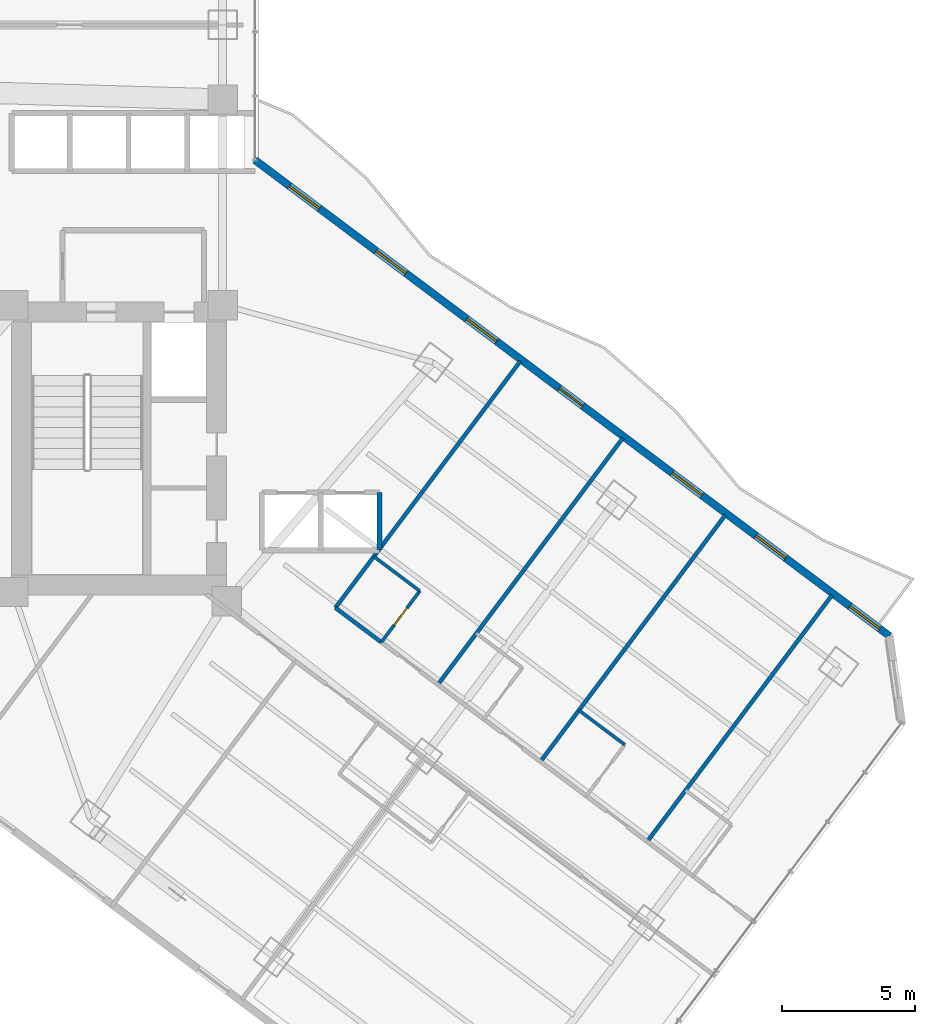
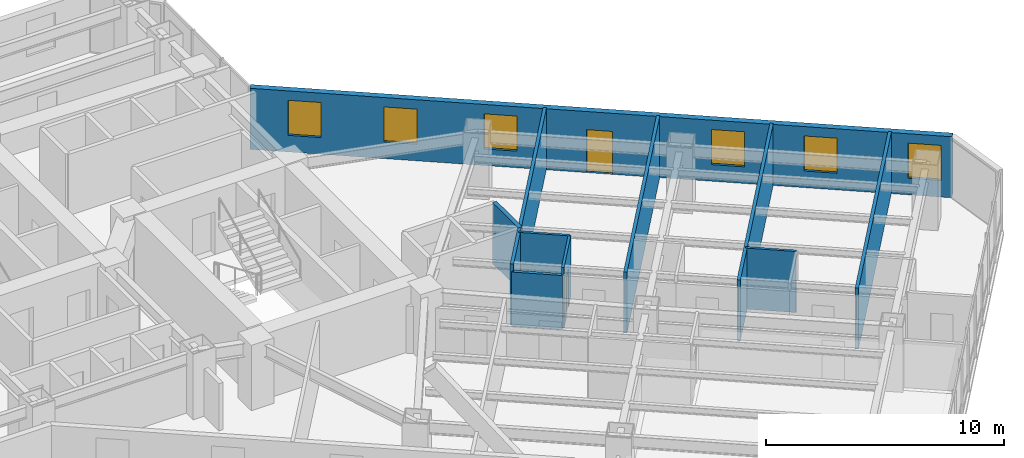
# One storey, part 24 of 33: 10 walls, 6 windows, 2 doors, 8 openings.
"""IFC4 building model written with IfcOpenShell, lengths in metres."""

import ifcopenshell
import ifcopenshell.guid

model = None  # the IFC model being written
_history = None  # IfcOwnerHistory: only IFC2X3 demands one
_inside = {}  # id of a spatial element -> (the spatial element, [elements in it])
_under = {}  # id of a project, library or spatial element -> (it, [spatial elements below it])
_declared = {}  # id of a project -> (the project, [libraries it declares])
_typed = {}  # id of a type object -> (the type object, [elements of that type])
_made_of = {}  # id of a material, layer set ... -> (it, [elements and type objects made of it])


def new_model(schema):
    """Start an empty IFC model of exactly this schema.

    Asked for "IFC4X3", IfcOpenShell would pick the latest addendum, in which some entities
    have other attributes; the version numbers below select the first issue.
    IFC2X3 requires an IfcOwnerHistory on every rooted entity: one is made here for all.
    """
    global model, _history
    if schema == "IFC4X3":
        model = ifcopenshell.file(schema_version=(4, 3, 0, 0))
    else:
        model = ifcopenshell.file(schema=schema)
    _inside.clear()
    _under.clear()
    _declared.clear()
    _typed.clear()
    _made_of.clear()
    _history = None
    if model.schema == "IFC2X3":
        org = make("IfcOrganization", Name="unknown")
        user = make(
            "IfcPersonAndOrganization",
            ThePerson=make("IfcPerson", FamilyName="unknown"),
            TheOrganization=org,
        )
        app = make(
            "IfcApplication",
            ApplicationDeveloper=org,
            Version="unknown",
            ApplicationFullName="unknown",
            ApplicationIdentifier="unknown",
        )
        _history = make(
            "IfcOwnerHistory",
            OwningUser=user,
            OwningApplication=app,
            ChangeAction="ADDED",
            CreationDate=0,
        )
    return model


def make(cls, **values):
    """One entity of the class cls with the attributes given. An attribute that is None is left unset."""
    return model.create_entity(
        cls, **{name: value for name, value in values.items() if value is not None}
    )


def rooted(cls, **values):
    """An entity with a GlobalId (a new one), such as an element, a storey or a relation."""
    return make(cls, GlobalId=ifcopenshell.guid.new(), OwnerHistory=_history, **values)


def si_unit(unit_type, name, prefix=None):
    """IfcSIUnit, for example si_unit("LENGTHUNIT", "METRE", prefix="MILLI")."""
    return make("IfcSIUnit", UnitType=unit_type, Prefix=prefix, Name=name)


def assignment(units):
    """IfcUnitAssignment: the units of a project."""
    return None if units is None else make("IfcUnitAssignment", Units=units)


def point(xyz):
    """IfcCartesianPoint."""
    return None if xyz is None else make("IfcCartesianPoint", Coordinates=xyz)


def direction(xyz):
    """IfcDirection."""
    return None if xyz is None else make("IfcDirection", DirectionRatios=xyz)


def frame(location, z_axis=None, x_axis=None):
    """IfcAxis2Placement3D, a coordinate frame: its origin and axes. An axis left out is left unset."""
    return make(
        "IfcAxis2Placement3D",
        Location=point(location),
        Axis=direction(z_axis),
        RefDirection=direction(x_axis),
    )


def frame_2d(location, x_axis=None):
    """IfcAxis2Placement2D, a coordinate frame in the plane: its origin and x axis."""
    return make(
        "IfcAxis2Placement2D", Location=point(location), RefDirection=direction(x_axis)
    )


def origin():
    """The frame at (0, 0, 0) with its axes left unset."""
    return frame((0.0, 0.0, 0.0))


def place(relative_to, where):
    """IfcLocalPlacement: puts the frame where relative to a parent placement (None: the world)."""
    return make(
        "IfcLocalPlacement", PlacementRelTo=relative_to, RelativePlacement=where
    )


def context(
    kind, dimensions, precision=None, world=None, true_north=None, identifier=None
):
    """IfcGeometricRepresentationContext, for example the 3D "Model" context."""
    return make(
        "IfcGeometricRepresentationContext",
        ContextIdentifier=identifier,
        ContextType=kind,
        CoordinateSpaceDimension=dimensions,
        Precision=precision,
        WorldCoordinateSystem=world,
        TrueNorth=true_north,
    )


def subcontext(parent, identifier, kind, view, scale=None):
    """IfcGeometricRepresentationSubContext, for example "Body" below "Model"."""
    return make(
        "IfcGeometricRepresentationSubContext",
        ContextIdentifier=identifier,
        ContextType=kind,
        ParentContext=parent,
        TargetScale=scale,
        TargetView=view,
    )


def project(units=None, contexts=None):
    """IfcProject with its units and contexts."""
    return rooted(
        "IfcProject",
        Name="project",
        RepresentationContexts=contexts,
        UnitsInContext=assignment(units),
    )


def spatial(cls, under=None, at=None, **own):
    """A site, building, storey or space (cls), placed at a placement, below another one or the project."""
    s = rooted(cls, ObjectPlacement=at, **own)
    if under is not None:
        _under.setdefault(under.id(), (under, []))[1].append(s)
    return s


def profile(cls, at=None, kind="AREA", **sizes):
    """A parametric profile (cls). Its sizes go by their IFC names, for example OverallWidth=200.0."""
    return make(cls, ProfileType=kind, Position=at, **sizes)


def rectangle(**sizes):
    """IfcRectangleProfileDef."""
    return profile("IfcRectangleProfileDef", **sizes)


def extrude(swept, where, along, depth):
    """IfcExtrudedAreaSolid: the profile swept, set in the frame where, extruded along a direction by depth."""
    return make(
        "IfcExtrudedAreaSolid",
        SweptArea=swept,
        Position=where,
        ExtrudedDirection=direction(along),
        Depth=depth,
    )


def shape(context_of_items, identifier, shape_type, items):
    """IfcShapeRepresentation: the items that make up one representation, for example the "Body"."""
    return make(
        "IfcShapeRepresentation",
        ContextOfItems=context_of_items,
        RepresentationIdentifier=identifier,
        RepresentationType=shape_type,
        Items=items,
    )


def material(Name=None, Category=None):
    """IfcMaterial."""
    return make("IfcMaterial", Name=Name, Category=Category)


def layer(
    of_material, thickness, ventilated=None, Name=None, Category=None, Priority=None
):
    """IfcMaterialLayer: one layer of a wall or slab, of a material (None: an air gap)."""
    return make(
        "IfcMaterialLayer",
        Material=of_material,
        LayerThickness=thickness,
        IsVentilated=ventilated,
        Name=Name,
        Category=Category,
        Priority=Priority,
    )


def layer_set(layers, Name=None):
    """IfcMaterialLayerSet."""
    return make("IfcMaterialLayerSet", MaterialLayers=layers, LayerSetName=Name)


def made_of(thing, what):
    """Note that an element or type object is made of a material, layer set ...; save() writes the relation."""
    if what is not None:
        _made_of.setdefault(what.id(), (what, []))[1].append(thing)
    return thing


def type_object(cls, material=None, **own):
    """A type object (cls), such as IfcWallType, which elements share."""
    return made_of(rooted(cls, **own), material)


def element(
    cls,
    number,
    at=None,
    inside=None,
    cuts=None,
    type_object=None,
    material=None,
    context=None,
    identifier="Body",
    shape_type=None,
    held_by="IfcProductDefinitionShape",
    body=None,
    shapes=None,
    **own,
):
    """One element of the class cls, such as IfcWall. Its Tag is "e" and its number.

    at: its placement. inside: the storey or other place that contains it. cuts: it is an
    opening in that element (IfcRelVoidsElement). A single representation is given by context,
    identifier, shape_type and body (its items); several are given by shapes. held_by: the class
    of the entity that holds the representations. save() writes the other relations.
    """
    e = rooted(cls, Tag="e%d" % number, ObjectPlacement=at, **own)
    if body is not None:
        shapes = [shape(context, identifier, shape_type, body)]
    if shapes is not None:
        e.Representation = make(held_by, Representations=shapes)
    if inside is not None:
        _inside.setdefault(inside.id(), (inside, []))[1].append(e)
    if cuts is not None:
        rooted(
            "IfcRelVoidsElement", RelatingBuildingElement=cuts, RelatedOpeningElement=e
        )
    if type_object is not None:
        _typed.setdefault(type_object.id(), (type_object, []))[1].append(e)
    return made_of(e, material)


def fill(opening, filler):
    """IfcRelFillsElement: the door or window that sits in an opening."""
    return rooted(
        "IfcRelFillsElement",
        RelatingOpeningElement=opening,
        RelatedBuildingElement=filler,
    )


def aggregate(whole, parts):
    """IfcRelAggregates: a whole, such as a stair, and the parts it consists of."""
    return rooted("IfcRelAggregates", RelatingObject=whole, RelatedObjects=parts)


def save(model, path):
    """Write the relations noted so far, then the file.

    IfcRelAggregates (storeys below a building ...), IfcRelContainedInSpatialStructure (elements
    in a storey), IfcRelDefinesByType, IfcRelAssociatesMaterial and IfcRelDeclares: one each for
    every whole, place, type object, material and project.
    """
    for whole, parts in _under.values():
        aggregate(whole, parts)
    for where, things in _inside.values():
        rooted(
            "IfcRelContainedInSpatialStructure",
            RelatedElements=things,
            RelatingStructure=where,
        )
    for kind, things in _typed.values():
        rooted("IfcRelDefinesByType", RelatedObjects=things, RelatingType=kind)
    for what, things in _made_of.values():
        rooted("IfcRelAssociatesMaterial", RelatedObjects=things, RelatingMaterial=what)
    for by, libraries in _declared.values():
        rooted("IfcRelDeclares", RelatingContext=by, RelatedDefinitions=libraries)
    model.write(path)


model = new_model("IFC4")

# Units and contexts
model_context = context("Model", 3, precision=1e-05, world=origin(), true_north=direction((0.0, 1.0)))
body_context = subcontext(model_context, "Body", "Model", "MODEL_VIEW")
ifc_project = project(units=[si_unit("LENGTHUNIT", "METRE"), si_unit("AREAUNIT", "SQUARE_METRE"), si_unit("VOLUMEUNIT", "CUBIC_METRE"), si_unit("PLANEANGLEUNIT", "RADIAN"), si_unit("MASSUNIT", "GRAM", prefix="KILO")], contexts=[model_context])

# Site, building, storey
site_placement = place(None, origin())
site = spatial("IfcSite", under=ifc_project, at=site_placement, CompositionType="ELEMENT")
building_placement = place(site_placement, origin())
building = spatial("IfcBuilding", under=site, at=building_placement, Name="Hatsunagi Terrace Concourse", CompositionType="ELEMENT")
storey_placement = place(building_placement, frame((0.0, 0.0, 56.699951171875)))
storey = spatial("IfcBuildingStorey", under=building, at=storey_placement, Name="L14", CompositionType="ELEMENT", Elevation=56.699951171875)

# Wall, opening, door
ifc_material_1 = material(Name="Acoustic mineral board", Category="gypsum")
ifc_layer_1 = layer(ifc_material_1, 0.1201171875)
ifc_layer_set_1 = layer_set([ifc_layer_1], Name="PartitionWall_EI30_120")
wall_type_1 = type_object("IfcWallType", Name="PartitionWall_EI30_120", PredefinedType="PARTITIONING", material=ifc_layer_set_1)
wall_1_placement = place(storey_placement, frame((49.590087890625, 22.669921875, 0.0), z_axis=(0.0, 0.0, 1.0), x_axis=(0.599951172744, 0.800036618114, 0.0)))
wall_1 = element("IfcWall", 1, at=wall_1_placement, inside=storey, type_object=wall_type_1, Name="Interior Partition IW-L14-073", PredefinedType="PARTITIONING", context=body_context, shape_type="SweptSolid", body=[
    extrude(rectangle(XDim=2.400146484375, YDim=0.1201171875, at=frame_2d((1.2001953125, 0.0))), origin(), (0.0, 0.0, 1.0), 3.130126953125),
])
opening_1_placement = place(wall_1_placement, frame((0.800048828125, 0.0, 0.0)))
opening_1 = element("IfcOpeningElement", 2, at=opening_1_placement, cuts=wall_1, Name="Opening DR-080", PredefinedType="OPENING", context=body_context, shape_type="SweptSolid", body=[
    extrude(rectangle(XDim=0.800048828125, YDim=2.06005859375, at=frame_2d((0.39990234375, 1.030029296875))), frame((0.0, 0.070068359375, 0.0), z_axis=(0.0, -1.0, 0.0), x_axis=(1.0, 0.0, 0.0)), (0.0, 0.0, 1.0), 0.14013671875),
])
ifc_material_2 = material(Name="Hardwood timber", Category="wood")
door_type_1 = type_object("IfcDoorType", Name="BathroomDoor_800", OperationType="NOTDEFINED", PredefinedType="DOOR", material=ifc_material_2)
door_1_placement = place(opening_1_placement, origin())
door_1 = element("IfcDoor", 3, at=door_1_placement, inside=storey, type_object=door_type_1, Name="En-Suite Bathroom L14-SENE1 Door", OperationType="SINGLE_SWING_LEFT", OverallHeight=2.06005859375, OverallWidth=0.800048828125, PredefinedType="DOOR", context=body_context, shape_type="SweptSolid", body=[
    extrude(rectangle(XDim=0.800048828125, YDim=2.06005859375, at=frame_2d((0.39990234375, 1.030029296875))), frame((0.0, 0.02490234375, 0.0), z_axis=(0.0, -1.0, 0.0), x_axis=(1.0, 0.0, 0.0)), (0.0, 0.0, 1.0), 0.050048828125),
])
fill(opening_1, door_1)

# Walls
for number, where, z_axis, x_axis, name in (
    (4, (49.31005859375, 25.8798828125, 0.0), (0.0, 0.0, 1.0), (0.800040880289, -0.59994548908, 0.0), "Interior Partition IW-L14-074"),
    (5, (56.989990234375, 20.1201171875, 0.0), (0.0, 0.0, 1.0), (0.79998637334, -0.60001816845, 0.0), "Interior Partition IW-L14-085"),
):
    element("IfcWall", number, at=place(storey_placement, frame(where, z_axis=z_axis, x_axis=x_axis)), inside=storey, type_object=wall_type_1, Name=name, PredefinedType="PARTITIONING", context=body_context, shape_type="SweptSolid", body=[
        extrude(rectangle(XDim=2.14990234375, YDim=0.1201171875, at=frame_2d((1.074951171875, 0.0))), origin(), (0.0, 0.0, 1.0), 3.130126953125),
    ])
ifc_material_3 = material(Name="Acoustic mineral board", Category="gypsum")
ifc_layer_2 = layer(ifc_material_3, 0.14990234375)
ifc_layer_set_2 = layer_set([ifc_layer_2], Name="PartitionWall_EI60_150")
wall_type_2 = type_object("IfcWallType", Name="PartitionWall_EI60_150", PredefinedType="PARTITIONING", material=ifc_layer_set_2)
wall_2_placement = place(storey_placement, frame((47.8701171875, 23.9599609375, 0.0), z_axis=(0.0, 0.0, 1.0), x_axis=(0.79998637334, -0.60001816845, 0.0)))
element("IfcWall", 6, at=wall_2_placement, inside=storey, type_object=wall_type_2, Name="Interior Partition IW-L14-071", PredefinedType="PARTITIONING", context=body_context, shape_type="SweptSolid", body=[
    extrude(rectangle(XDim=2.14990234375, YDim=0.14990234375, at=frame_2d((1.074951171875, 0.0))), origin(), (0.0, 0.0, 1.0), 2.775146484375),
])
for number, where, z_axis, x_axis, name in (
    (7, (47.8701171875, 23.9599609375, 0.0), (0.0, 0.0, 1.0), (0.599996617946, 0.80000253653, 0.0), "Interior Partition IW-L14-075"),
    (8, (51.7099609375, 21.080078125, 0.0), (0.0, 0.0, 1.0), (0.599996617946, 0.80000253653, 0.0), "Interior Partition IW-L14-076"),
    (9, (55.550048828125, 18.199951171875, 0.0), (0.0, 0.0, 1.0), (0.599996617946, 0.80000253653, 0.0), "Interior Partition IW-L14-081"),
    (10, (59.550048828125, 15.199951171875, 0.0), (0.0, 0.0, 1.0), (0.599996617946, 0.80000253653, 0.0), "Interior Partition IW-L14-086"),
):
    element("IfcWall", number, at=place(storey_placement, frame(where, z_axis=z_axis, x_axis=x_axis)), inside=storey, type_object=wall_type_2, Name=name, PredefinedType="PARTITIONING", context=body_context, shape_type="SweptSolid", body=[
        extrude(rectangle(XDim=11.550048828125, YDim=0.14990234375, at=frame_2d((5.77490234375, 0.0))), origin(), (0.0, 0.0, 1.0), 3.130126953125),
    ])
ifc_material_4 = material(Name="Acoustic mineral board", Category="gypsum")
ifc_layer_3 = layer(ifc_material_4, 0.199951171875)
ifc_layer_set_3 = layer_set([ifc_layer_3], Name="ShaftWall_EI120_200")
wall_type_3 = type_object("IfcWallType", Name="ShaftWall_EI120_200", PredefinedType="STANDARD", material=ifc_layer_set_3)
wall_3_placement = place(storey_placement, frame((49.52001953125, 26.1201171875, 0.0), z_axis=(0.0, 0.0, 1.0), x_axis=(0.0, 1.0, 0.0)))
element("IfcWall", 11, at=wall_3_placement, inside=storey, type_object=wall_type_3, Name="Interior Partition IW-L14-026", PredefinedType="STANDARD", context=body_context, shape_type="SweptSolid", body=[
    extrude(rectangle(XDim=2.159912109375, YDim=0.199951171875, at=frame_2d((1.080078125, 0.0))), origin(), (0.0, 0.0, 1.0), 3.130126953125),
])

# Wall, openings, door, windows
ifc_material_5 = material(Name="Autoclaved Lightweight Concrete and Terracotta Cladding", Category="masonry")
ifc_layer_4 = layer(ifc_material_5, 0.280029296875)
ifc_layer_set_4 = layer_set([ifc_layer_4], Name="TerracottaSpandrelWall_280")
wall_type_4 = type_object("IfcWallType", Name="TerracottaSpandrelWall_280", PredefinedType="STANDARD", material=ifc_layer_set_4)
wall_4_placement = place(storey_placement, frame((44.860107421875, 40.72998046875, 0.0), z_axis=(0.0, 0.0, 1.0), x_axis=(0.800006902154, -0.599990797017, 0.0)))
wall_4 = element("IfcWall", 12, at=wall_4_placement, inside=storey, type_object=wall_type_4, Name="Exterior Spandrel Wall EW-L14-01", PredefinedType="STANDARD", context=body_context, shape_type="SweptSolid", body=[
    extrude(rectangle(XDim=29.7119140625, YDim=0.280029296875, at=frame_2d((14.85595703125, 0.0))), origin(), (0.0, 0.0, 1.0), 3.130126953125),
])
opening_2_placement = place(wall_4_placement, frame((14.2490234375, 0.0, 0.0)))
opening_2 = element("IfcOpeningElement", 13, at=opening_2_placement, cuts=wall_4, Name="Opening BD-01", PredefinedType="OPENING", context=body_context, shape_type="SweptSolid", body=[
    extrude(rectangle(XDim=1.10009765625, YDim=2.199951171875, at=frame_2d((0.550048828125, 1.10009765625))), frame((0.0, 0.14990234375, 0.0), z_axis=(0.0, -1.0, 0.0), x_axis=(1.0, 0.0, 0.0)), (0.0, 0.0, 1.0), 0.300048828125),
])
opening_3_placement = place(wall_4_placement, frame((1.612060546875, 0.0, 0.85009765625)))
opening_3 = element("IfcOpeningElement", 14, at=opening_3_placement, cuts=wall_4, Name="Opening WIN-02", PredefinedType="OPENING", context=body_context, shape_type="SweptSolid", body=[
    extrude(rectangle(XDim=1.39990234375, YDim=1.800048828125, at=frame_2d((0.699951171875, 0.89990234375))), frame((0.0, 0.14990234375, 0.0), z_axis=(0.0, -1.0, 0.0), x_axis=(1.0, 0.0, 0.0)), (0.0, 0.0, 1.0), 0.300048828125),
])
opening_4_placement = place(wall_4_placement, frame((5.6669921875, 0.0, 0.85009765625)))
opening_4 = element("IfcOpeningElement", 15, at=opening_4_placement, cuts=wall_4, Name="Opening WIN-02", PredefinedType="OPENING", context=body_context, shape_type="SweptSolid", body=[
    extrude(rectangle(XDim=1.39990234375, YDim=1.800048828125, at=frame_2d((0.699951171875, 0.89990234375))), frame((0.0, 0.14990234375, 0.0), z_axis=(0.0, -1.0, 0.0), x_axis=(1.0, 0.0, 0.0)), (0.0, 0.0, 1.0), 0.300048828125),
])
opening_5_placement = place(wall_4_placement, frame((9.912109375, 0.0, 0.85009765625)))
opening_5 = element("IfcOpeningElement", 16, at=opening_5_placement, cuts=wall_4, Name="Opening WIN-02", PredefinedType="OPENING", context=body_context, shape_type="SweptSolid", body=[
    extrude(rectangle(XDim=1.39990234375, YDim=1.800048828125, at=frame_2d((0.699951171875, 0.89990234375))), frame((0.0, 0.14990234375, 0.0), z_axis=(0.0, -1.0, 0.0), x_axis=(1.0, 0.0, 0.0)), (0.0, 0.0, 1.0), 0.300048828125),
])
opening_6_placement = place(wall_4_placement, frame((19.528076171875, 0.0, 0.85009765625)))
opening_6 = element("IfcOpeningElement", 17, at=opening_6_placement, cuts=wall_4, Name="Opening WIN-02", PredefinedType="OPENING", context=body_context, shape_type="SweptSolid", body=[
    extrude(rectangle(XDim=1.39990234375, YDim=1.800048828125, at=frame_2d((0.699951171875, 0.89990234375))), frame((0.0, 0.14990234375, 0.0), z_axis=(0.0, -1.0, 0.0), x_axis=(1.0, 0.0, 0.0)), (0.0, 0.0, 1.0), 0.300048828125),
])
opening_7_placement = place(wall_4_placement, frame((23.450927734375, 0.0, 0.85009765625)))
opening_7 = element("IfcOpeningElement", 18, at=opening_7_placement, cuts=wall_4, Name="Opening WIN-02", PredefinedType="OPENING", context=body_context, shape_type="SweptSolid", body=[
    extrude(rectangle(XDim=1.39990234375, YDim=1.800048828125, at=frame_2d((0.699951171875, 0.89990234375))), frame((0.0, 0.14990234375, 0.0), z_axis=(0.0, -1.0, 0.0), x_axis=(1.0, 0.0, 0.0)), (0.0, 0.0, 1.0), 0.300048828125),
])
opening_8_placement = place(wall_4_placement, frame((27.85205078125, 0.0, 0.85009765625)))
opening_8 = element("IfcOpeningElement", 19, at=opening_8_placement, cuts=wall_4, Name="Opening WIN-02", PredefinedType="OPENING", context=body_context, shape_type="SweptSolid", body=[
    extrude(rectangle(XDim=1.39990234375, YDim=1.800048828125, at=frame_2d((0.699951171875, 0.89990234375))), frame((0.0, 0.14990234375, 0.0), z_axis=(0.0, -1.0, 0.0), x_axis=(1.0, 0.0, 0.0)), (0.0, 0.0, 1.0), 0.300048828125),
])
ifc_material_6 = material(Name="Galvanised Steel and Laminated Safety Glass", Category="steel")
door_type_2 = type_object("IfcDoorType", Name="BalconyTerraceAccessDoor_1100x2200", OperationType="SINGLE_SWING_LEFT", PredefinedType="DOOR", material=ifc_material_6)
door_2_placement = place(opening_2_placement, origin())
door_2 = element("IfcDoor", 20, at=door_2_placement, inside=storey, type_object=door_type_2, Name="Engawa Balcony Door L14-BSE", OperationType="SINGLE_SWING_LEFT", OverallHeight=2.199951171875, OverallWidth=1.10009765625, PredefinedType="DOOR", context=body_context, shape_type="SweptSolid", body=[
    extrude(rectangle(XDim=1.10009765625, YDim=2.199951171875, at=frame_2d((0.550048828125, 1.10009765625))), frame((0.0, 0.02490234375, 0.0), z_axis=(0.0, -1.0, 0.0), x_axis=(1.0, 0.0, 0.0)), (0.0, 0.0, 1.0), 0.050048828125),
])
fill(opening_2, door_2)
ifc_material_7 = material(Name="Thermally Broken Aluminium and Low-E Triple Glazing", Category="aluminium")
window_type = type_object("IfcWindowType", Name="HotelOperableVentWindow_1400x1800", PartitioningType="DOUBLE_PANEL_VERTICAL", PredefinedType="WINDOW", material=ifc_material_7)
window_1_placement = place(opening_3_placement, origin())
window_1 = element("IfcWindow", 21, at=window_1_placement, inside=storey, type_object=window_type, Name="Balcony Daylighting Window L14-01-1", OverallHeight=1.800048828125, OverallWidth=1.39990234375, PartitioningType="SINGLE_PANEL", PredefinedType="WINDOW", context=body_context, shape_type="SweptSolid", body=[
    extrude(rectangle(XDim=1.39990234375, YDim=1.800048828125, at=frame_2d((0.699951171875, 0.89990234375))), frame((0.0, 0.030029296875, 0.0), z_axis=(0.0, -1.0, 0.0), x_axis=(1.0, 0.0, 0.0)), (0.0, 0.0, 1.0), 0.06005859375),
])
fill(opening_3, window_1)
window_2_placement = place(opening_4_placement, origin())
window_2 = element("IfcWindow", 22, at=window_2_placement, inside=storey, type_object=window_type, Name="Balcony Daylighting Window L14-01-2", OverallHeight=1.800048828125, OverallWidth=1.39990234375, PartitioningType="SINGLE_PANEL", PredefinedType="WINDOW", context=body_context, shape_type="SweptSolid", body=[
    extrude(rectangle(XDim=1.39990234375, YDim=1.800048828125, at=frame_2d((0.699951171875, 0.89990234375))), frame((0.0, 0.030029296875, 0.0), z_axis=(0.0, -1.0, 0.0), x_axis=(1.0, 0.0, 0.0)), (0.0, 0.0, 1.0), 0.06005859375),
])
fill(opening_4, window_2)
window_3_placement = place(opening_5_placement, origin())
window_3 = element("IfcWindow", 23, at=window_3_placement, inside=storey, type_object=window_type, Name="Balcony Daylighting Window L14-01-3", OverallHeight=1.800048828125, OverallWidth=1.39990234375, PartitioningType="SINGLE_PANEL", PredefinedType="WINDOW", context=body_context, shape_type="SweptSolid", body=[
    extrude(rectangle(XDim=1.39990234375, YDim=1.800048828125, at=frame_2d((0.699951171875, 0.89990234375))), frame((0.0, 0.030029296875, 0.0), z_axis=(0.0, -1.0, 0.0), x_axis=(1.0, 0.0, 0.0)), (0.0, 0.0, 1.0), 0.06005859375),
])
fill(opening_5, window_3)
window_4_placement = place(opening_6_placement, origin())
window_4 = element("IfcWindow", 24, at=window_4_placement, inside=storey, type_object=window_type, Name="Balcony Daylighting Window L14-01-5", OverallHeight=1.800048828125, OverallWidth=1.39990234375, PartitioningType="SINGLE_PANEL", PredefinedType="WINDOW", context=body_context, shape_type="SweptSolid", body=[
    extrude(rectangle(XDim=1.39990234375, YDim=1.800048828125, at=frame_2d((0.699951171875, 0.89990234375))), frame((0.0, 0.030029296875, 0.0), z_axis=(0.0, -1.0, 0.0), x_axis=(1.0, 0.0, 0.0)), (0.0, 0.0, 1.0), 0.06005859375),
])
fill(opening_6, window_4)
window_5_placement = place(opening_7_placement, origin())
window_5 = element("IfcWindow", 25, at=window_5_placement, inside=storey, type_object=window_type, Name="Balcony Daylighting Window L14-01-6", OverallHeight=1.800048828125, OverallWidth=1.39990234375, PartitioningType="SINGLE_PANEL", PredefinedType="WINDOW", context=body_context, shape_type="SweptSolid", body=[
    extrude(rectangle(XDim=1.39990234375, YDim=1.800048828125, at=frame_2d((0.699951171875, 0.89990234375))), frame((0.0, 0.030029296875, 0.0), z_axis=(0.0, -1.0, 0.0), x_axis=(1.0, 0.0, 0.0)), (0.0, 0.0, 1.0), 0.06005859375),
])
fill(opening_7, window_5)
window_6_placement = place(opening_8_placement, origin())
window_6 = element("IfcWindow", 26, at=window_6_placement, inside=storey, type_object=window_type, Name="Balcony Daylighting Window L14-01-7", OverallHeight=1.800048828125, OverallWidth=1.39990234375, PartitioningType="SINGLE_PANEL", PredefinedType="WINDOW", context=body_context, shape_type="SweptSolid", body=[
    extrude(rectangle(XDim=1.39990234375, YDim=1.800048828125, at=frame_2d((0.699951171875, 0.89990234375))), frame((0.0, 0.030029296875, 0.0), z_axis=(0.0, -1.0, 0.0), x_axis=(1.0, 0.0, 0.0)), (0.0, 0.0, 1.0), 0.06005859375),
])
fill(opening_8, window_6)

save(model, "model.ifc")
